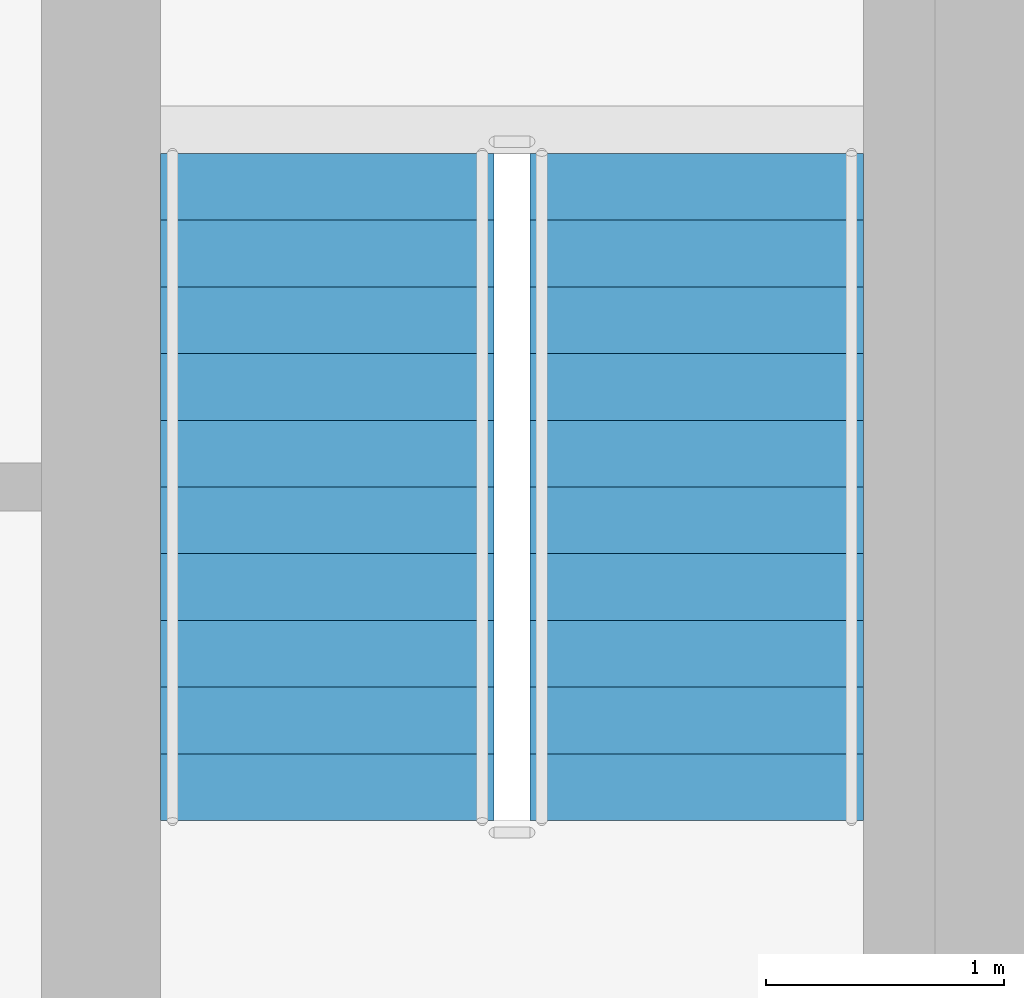
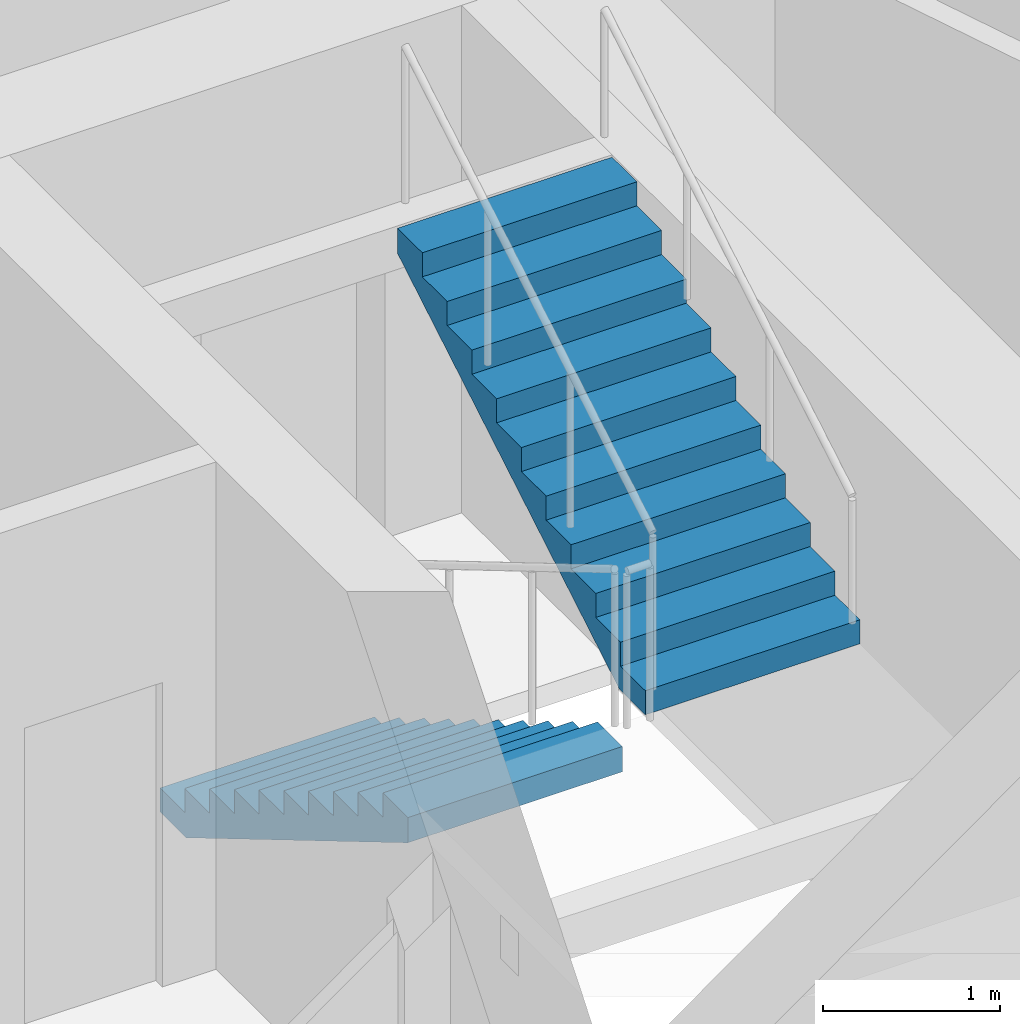
# One storey, part 14 of 17: 2 stair flights, 1 element without a shape of its own.
"""IFC4 building model written with IfcOpenShell, lengths in metres."""

from ifc_helpers import new_model, si_unit, direction, frame, origin, place, context, subcontext, project, spatial, polyline, outline, extrude, material, type_object, element, aggregate, save


model = new_model("IFC4")

# Units and contexts
model_context = context("Model", 3, precision=1e-05, world=origin(), true_north=direction((0.0, 1.0)))
body_context = subcontext(model_context, "Body", "Model", "MODEL_VIEW")
ifc_project = project(units=[si_unit("LENGTHUNIT", "METRE"), si_unit("AREAUNIT", "SQUARE_METRE"), si_unit("VOLUMEUNIT", "CUBIC_METRE"), si_unit("PLANEANGLEUNIT", "RADIAN"), si_unit("MASSUNIT", "GRAM", prefix="KILO")], contexts=[model_context])

# Site, building, storey
site_placement = place(None, origin())
site = spatial("IfcSite", under=ifc_project, at=site_placement, CompositionType="ELEMENT")
building_placement = place(site_placement, origin())
building = spatial("IfcBuilding", under=site, at=building_placement, Name="Isthmus Gate Tower", CompositionType="ELEMENT")
storey_placement = place(building_placement, frame((0.0, 0.0, 181.75)))
storey = spatial("IfcBuildingStorey", under=building, at=storey_placement, Name="L45", CompositionType="ELEMENT", Elevation=181.75)

# Stair, stair flights
ifc_material_1 = material(Name="Concrete f'c 40 MPa", Category="concrete")
stair_type = type_object("IfcStairType", Name="CORE STAIR 22 RISERS", PredefinedType="HALF_TURN_STAIR", material=ifc_material_1)
stair_placement = place(storey_placement, origin())
stair = element("IfcStair", 1, at=stair_placement, inside=storey, type_object=stair_type, Name="L45 Exit Stair 2", PredefinedType="HALF_TURN_STAIR")
ifc_material_2 = material(Name="Concrete f'c 40 MPa", Category="concrete")
stair_flight_type = type_object("IfcStairFlightType", Name="STAIR FLIGHT RC 1400", PredefinedType="STRAIGHT", material=ifc_material_2)
stair_flight_1_placement = place(storey_placement, frame((11.75, 12.60009765625, 0.0), z_axis=(0.0, 0.0, 1.0), x_axis=(0.0, -1.0, 0.0)))
stair_flight_1 = element("IfcStairFlight", 2, at=stair_flight_1_placement, type_object=stair_flight_type, Name="ST2 flight 1", NumberOfRisers=11, NumberOfTreads=10, PredefinedType="STRAIGHT", RiserHeight=0.165909091, TreadLength=0.28, context=body_context, shape_type="SweptSolid", body=[
    extrude(outline(polyline([(0.0, 0.0), (0.0, 0.166015625), (0.280029296875, 0.166015625), (0.280029296875, 0.331787109375), (0.56005859375, 0.331787109375), (0.56005859375, 0.497802734375), (0.840087890625, 0.497802734375), (0.840087890625, 0.66357421875), (1.1201171875, 0.66357421875), (1.1201171875, 0.82958984375), (1.39990234375, 0.82958984375), (1.39990234375, 0.995361328125), (1.679931640625, 0.995361328125), (1.679931640625, 1.161376953125), (1.9599609375, 1.161376953125), (1.9599609375, 1.327392578125), (2.239990234375, 1.327392578125), (2.239990234375, 1.4931640625), (2.52001953125, 1.4931640625), (2.52001953125, 1.6591796875), (2.800048828125, 1.6591796875), (2.800048828125, 1.824951171875), (2.800048828125, 1.48486328125), (0.2939453125, 0.0), (0.0, 0.0)])), frame((0.0, 0.699951171875, 0.0), z_axis=(0.0, -1.0, 0.0), x_axis=(1.0, 0.0, 0.0)), (0.0, 0.0, 1.0), 1.39990234375),
])
stair_flight_2_placement = place(storey_placement, frame((13.300048828125, 9.800048828125, 1.824951171875), z_axis=(0.0, 0.0, 1.0), x_axis=(0.0, 1.0, 0.0)))
stair_flight_2 = element("IfcStairFlight", 3, at=stair_flight_2_placement, type_object=stair_flight_type, Name="ST2 flight 2", NumberOfRisers=11, NumberOfTreads=10, PredefinedType="STRAIGHT", RiserHeight=0.165909091, TreadLength=0.28, context=body_context, shape_type="SweptSolid", body=[
    extrude(outline(polyline([(0.0, 0.0), (0.0, 0.166015625), (0.280029296875, 0.166015625), (0.280029296875, 0.331787109375), (0.56005859375, 0.331787109375), (0.56005859375, 0.497802734375), (0.840087890625, 0.497802734375), (0.840087890625, 0.66357421875), (1.1201171875, 0.66357421875), (1.1201171875, 0.82958984375), (1.39990234375, 0.82958984375), (1.39990234375, 0.995361328125), (1.679931640625, 0.995361328125), (1.679931640625, 1.161376953125), (1.9599609375, 1.161376953125), (1.9599609375, 1.327392578125), (2.239990234375, 1.327392578125), (2.239990234375, 1.4931640625), (2.52001953125, 1.4931640625), (2.52001953125, 1.6591796875), (2.800048828125, 1.6591796875), (2.800048828125, 1.824951171875), (2.800048828125, 1.48486328125), (0.2939453125, 0.0), (0.0, 0.0)])), frame((0.0, 0.699951171875, 0.0), z_axis=(0.0, -1.0, 0.0), x_axis=(1.0, 0.0, 0.0)), (0.0, 0.0, 1.0), 1.39990234375),
])
aggregate(stair, [stair_flight_1, stair_flight_2])

save(model, "model.ifc")
